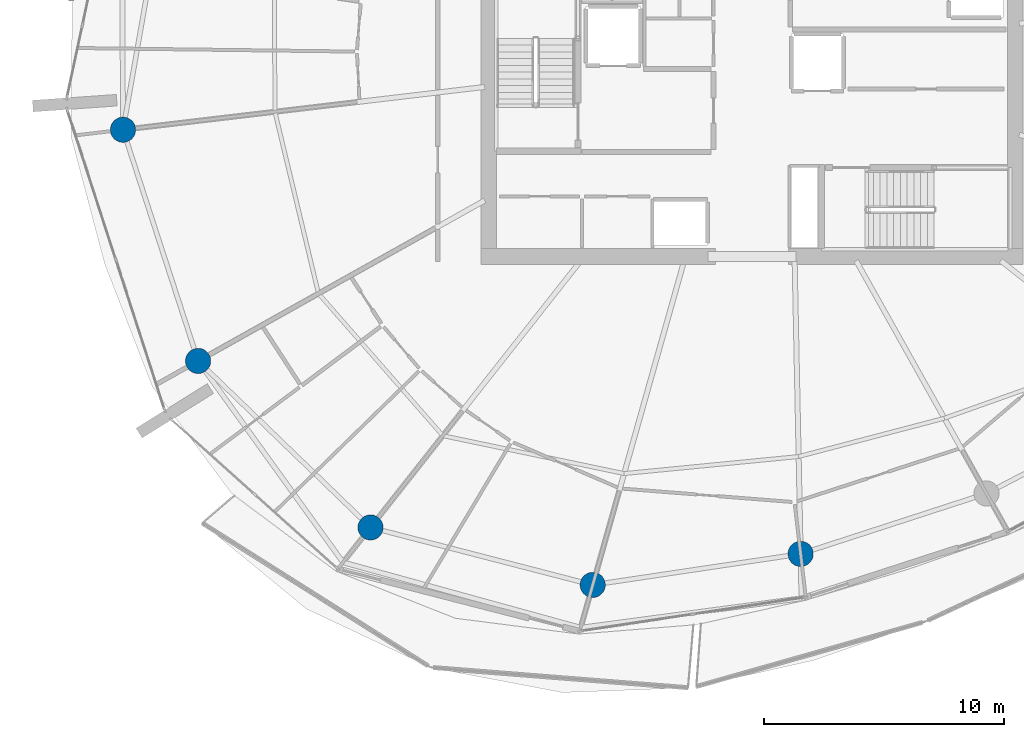
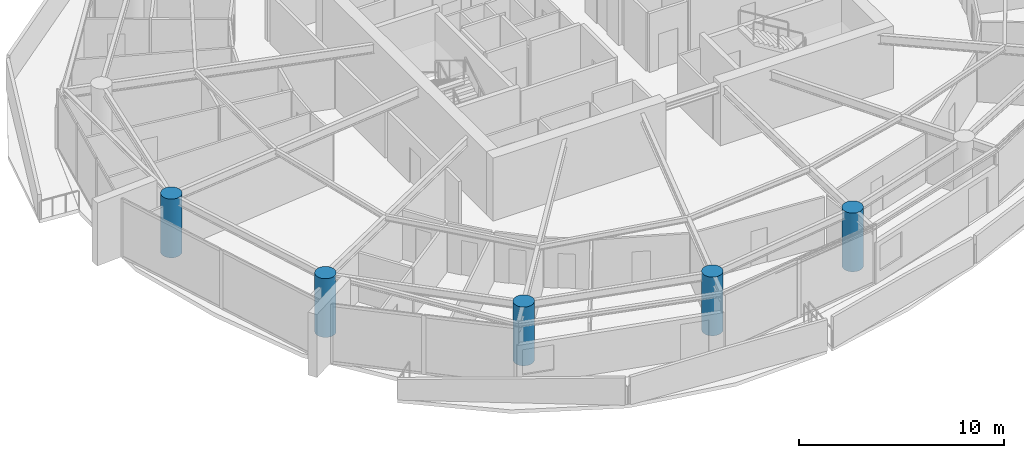
# One storey, part 1 of 20: 5 columns.
"""IFC4 building model written with IfcOpenShell, lengths in metres."""

from ifc_helpers import new_model, si_unit, direction, frame, origin, origin_2d, place, context, subcontext, project, spatial, circle, extrude, material, material_profile, profile_set, type_object, element, save


model = new_model("IFC4")

# Units and contexts
model_context = context("Model", 3, precision=1e-05, world=origin(), true_north=direction((0.0, 1.0)))
body_context = subcontext(model_context, "Body", "Model", "MODEL_VIEW")
ifc_project = project(units=[si_unit("LENGTHUNIT", "METRE"), si_unit("AREAUNIT", "SQUARE_METRE"), si_unit("VOLUMEUNIT", "CUBIC_METRE"), si_unit("PLANEANGLEUNIT", "RADIAN"), si_unit("MASSUNIT", "GRAM", prefix="KILO")], contexts=[model_context])

# Site, building, storey
site_placement = place(None, origin())
site = spatial("IfcSite", under=ifc_project, at=site_placement, CompositionType="ELEMENT")
building_placement = place(site_placement, origin())
building = spatial("IfcBuilding", under=site, at=building_placement, Name="Kazma Halo Residences", CompositionType="ELEMENT")
storey_placement = place(building_placement, frame((0.0, 0.0, 202.800048828125)))
storey = spatial("IfcBuildingStorey", under=building, at=storey_placement, Name="L51", CompositionType="ELEMENT", Elevation=202.800048828125)

# Columns
ifc_material = material(Name="Concrete C80/95", Category="concrete")
ifc_material_profile = material_profile(ifc_material, circle(Radius=0.52490234375, at=origin_2d()), Name="CIRC1050")
ifc_profile_set = profile_set([ifc_material_profile], Name="Concrete C80/95")
column_type = type_object("IfcColumnType", Name="COL-PERIM-1050", PredefinedType="COLUMN", material=ifc_profile_set)
for number, where, z_axis, x_axis, name in (
    (1, (22.248291015625, 38.9521484375, 0.0), (0.0, 0.0, 1.0), (1.0, 0.0, 0.0), "L51 perimeter ring column P08"),
    (2, (25.375, 29.329345703125, 0.0), (0.0, 0.0, 1.0), (1.0, 0.0, 0.0), "L51 perimeter ring column P09"),
    (3, (32.54931640625, 22.401123046875, 0.0), (0.0, 0.0, 1.0), (1.0, 0.0, 0.0), "L51 perimeter ring column P10"),
    (4, (41.797607421875, 20.00830078125, 0.0), (0.0, 0.0, 1.0), (1.0, 0.0, 0.0), "L51 perimeter ring column P11"),
    (5, (50.449951171875, 21.30029296875, 0.0), (0.0, 0.0, 1.0), (1.0, 0.0, 0.0), "L51 perimeter ring column P12"),
):
    element("IfcColumn", number, at=place(storey_placement, frame(where, z_axis=z_axis, x_axis=x_axis)), inside=storey, type_object=column_type, Name=name, PredefinedType="COLUMN", context=body_context, shape_type="SweptSolid", body=[
        extrude(circle(Radius=0.52490234375, at=origin_2d()), origin(), (0.0, 0.0, 1.0), 3.5),
    ])

save(model, "model.ifc")
